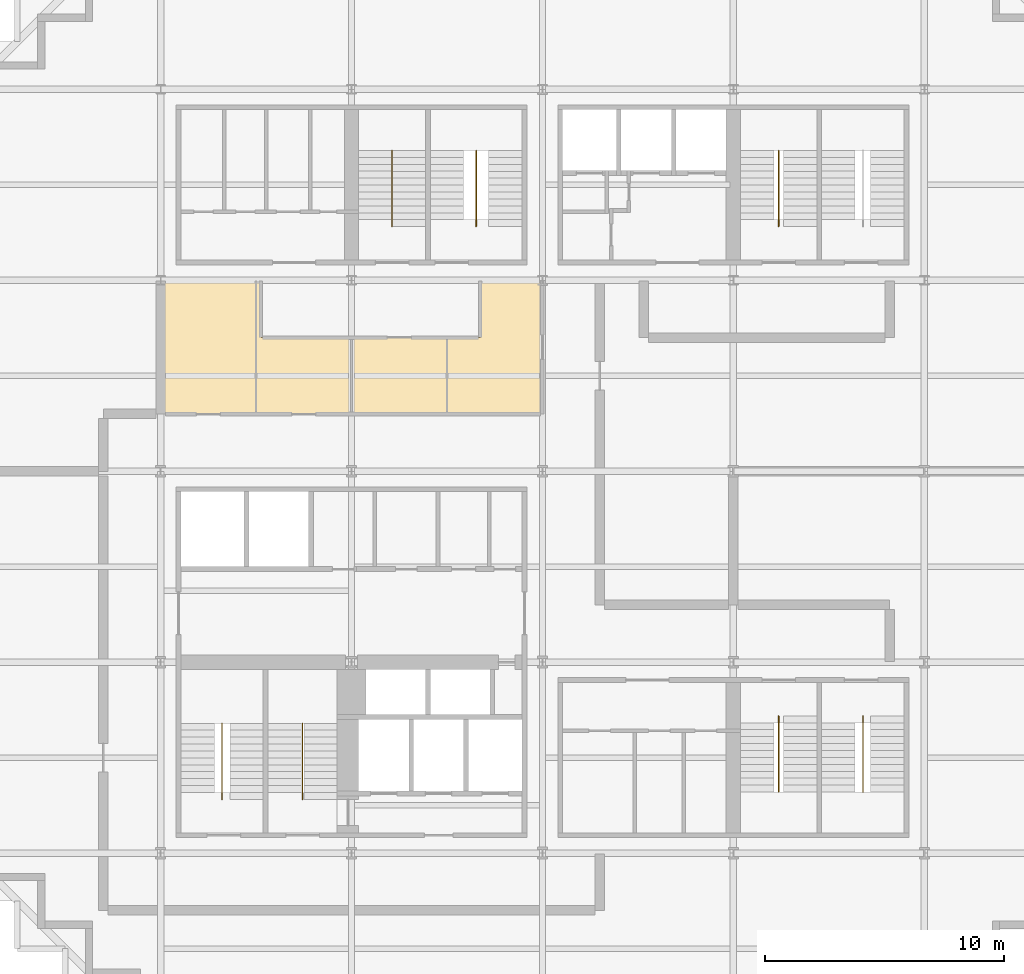
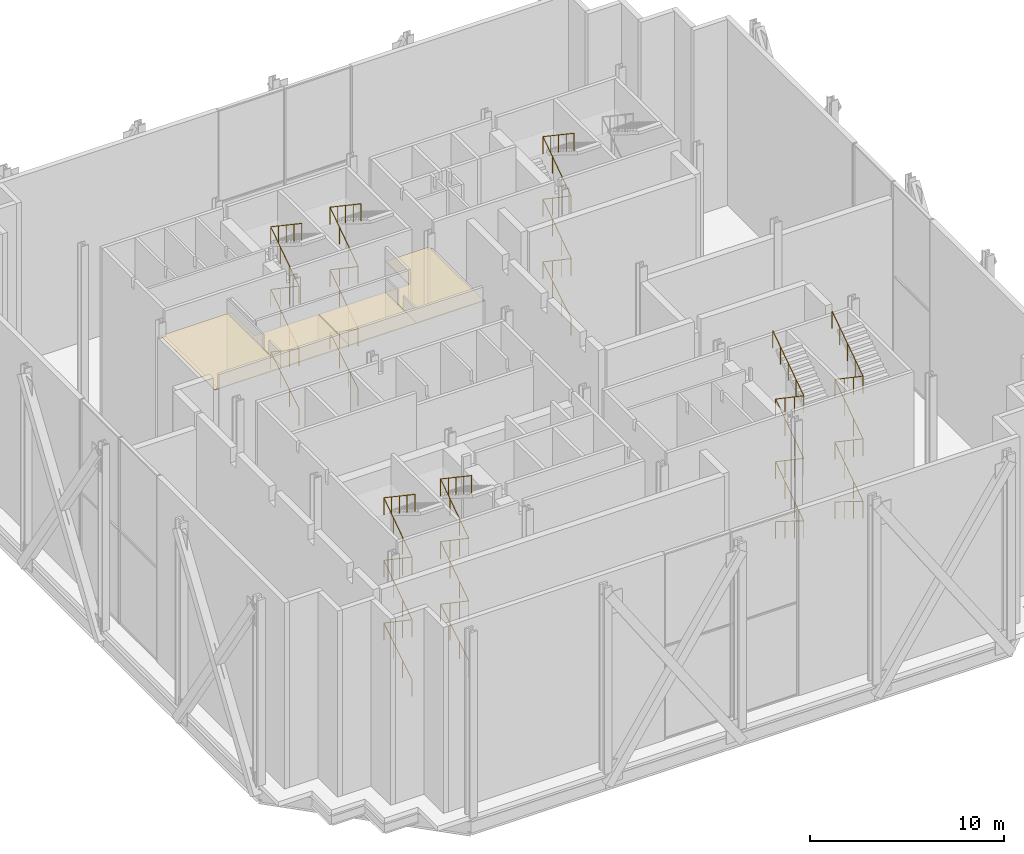
# One storey, part 13 of 14: 7 railings, 4 coverings.
"""IFC4 building model written with IfcOpenShell, lengths in metres."""

import ifcopenshell
import ifcopenshell.guid

model = None  # the IFC model being written
_history = None  # IfcOwnerHistory: only IFC2X3 demands one
_inside = {}  # id of a spatial element -> (the spatial element, [elements in it])
_under = {}  # id of a project, library or spatial element -> (it, [spatial elements below it])
_declared = {}  # id of a project -> (the project, [libraries it declares])
_typed = {}  # id of a type object -> (the type object, [elements of that type])
_made_of = {}  # id of a material, layer set ... -> (it, [elements and type objects made of it])


def new_model(schema):
    """Start an empty IFC model of exactly this schema.

    Asked for "IFC4X3", IfcOpenShell would pick the latest addendum, in which some entities
    have other attributes; the version numbers below select the first issue.
    IFC2X3 requires an IfcOwnerHistory on every rooted entity: one is made here for all.
    """
    global model, _history
    if schema == "IFC4X3":
        model = ifcopenshell.file(schema_version=(4, 3, 0, 0))
    else:
        model = ifcopenshell.file(schema=schema)
    _inside.clear()
    _under.clear()
    _declared.clear()
    _typed.clear()
    _made_of.clear()
    _history = None
    if model.schema == "IFC2X3":
        org = make("IfcOrganization", Name="unknown")
        user = make(
            "IfcPersonAndOrganization",
            ThePerson=make("IfcPerson", FamilyName="unknown"),
            TheOrganization=org,
        )
        app = make(
            "IfcApplication",
            ApplicationDeveloper=org,
            Version="unknown",
            ApplicationFullName="unknown",
            ApplicationIdentifier="unknown",
        )
        _history = make(
            "IfcOwnerHistory",
            OwningUser=user,
            OwningApplication=app,
            ChangeAction="ADDED",
            CreationDate=0,
        )
    return model


def make(cls, **values):
    """One entity of the class cls with the attributes given. An attribute that is None is left unset."""
    return model.create_entity(
        cls, **{name: value for name, value in values.items() if value is not None}
    )


def rooted(cls, **values):
    """An entity with a GlobalId (a new one), such as an element, a storey or a relation."""
    return make(cls, GlobalId=ifcopenshell.guid.new(), OwnerHistory=_history, **values)


def si_unit(unit_type, name, prefix=None):
    """IfcSIUnit, for example si_unit("LENGTHUNIT", "METRE", prefix="MILLI")."""
    return make("IfcSIUnit", UnitType=unit_type, Prefix=prefix, Name=name)


def assignment(units):
    """IfcUnitAssignment: the units of a project."""
    return None if units is None else make("IfcUnitAssignment", Units=units)


def point(xyz):
    """IfcCartesianPoint."""
    return None if xyz is None else make("IfcCartesianPoint", Coordinates=xyz)


def direction(xyz):
    """IfcDirection."""
    return None if xyz is None else make("IfcDirection", DirectionRatios=xyz)


def frame(location, z_axis=None, x_axis=None):
    """IfcAxis2Placement3D, a coordinate frame: its origin and axes. An axis left out is left unset."""
    return make(
        "IfcAxis2Placement3D",
        Location=point(location),
        Axis=direction(z_axis),
        RefDirection=direction(x_axis),
    )


def frame_2d(location, x_axis=None):
    """IfcAxis2Placement2D, a coordinate frame in the plane: its origin and x axis."""
    return make(
        "IfcAxis2Placement2D", Location=point(location), RefDirection=direction(x_axis)
    )


def origin():
    """The frame at (0, 0, 0) with its axes left unset."""
    return frame((0.0, 0.0, 0.0))


def origin_2d():
    """The frame at (0, 0) in the plane with its x axis left unset."""
    return frame_2d((0.0, 0.0))


def place(relative_to, where):
    """IfcLocalPlacement: puts the frame where relative to a parent placement (None: the world)."""
    return make(
        "IfcLocalPlacement", PlacementRelTo=relative_to, RelativePlacement=where
    )


def context(
    kind, dimensions, precision=None, world=None, true_north=None, identifier=None
):
    """IfcGeometricRepresentationContext, for example the 3D "Model" context."""
    return make(
        "IfcGeometricRepresentationContext",
        ContextIdentifier=identifier,
        ContextType=kind,
        CoordinateSpaceDimension=dimensions,
        Precision=precision,
        WorldCoordinateSystem=world,
        TrueNorth=true_north,
    )


def subcontext(parent, identifier, kind, view, scale=None):
    """IfcGeometricRepresentationSubContext, for example "Body" below "Model"."""
    return make(
        "IfcGeometricRepresentationSubContext",
        ContextIdentifier=identifier,
        ContextType=kind,
        ParentContext=parent,
        TargetScale=scale,
        TargetView=view,
    )


def project(units=None, contexts=None):
    """IfcProject with its units and contexts."""
    return rooted(
        "IfcProject",
        Name="project",
        RepresentationContexts=contexts,
        UnitsInContext=assignment(units),
    )


def spatial(cls, under=None, at=None, **own):
    """A site, building, storey or space (cls), placed at a placement, below another one or the project."""
    s = rooted(cls, ObjectPlacement=at, **own)
    if under is not None:
        _under.setdefault(under.id(), (under, []))[1].append(s)
    return s


def polyline(points):
    """IfcPolyline through the points."""
    return make("IfcPolyline", Points=[point(p) for p in points])


def profile(cls, at=None, kind="AREA", **sizes):
    """A parametric profile (cls). Its sizes go by their IFC names, for example OverallWidth=200.0."""
    return make(cls, ProfileType=kind, Position=at, **sizes)


def circle(**sizes):
    """IfcCircleProfileDef."""
    return profile("IfcCircleProfileDef", **sizes)


def outline(outer, holes=None, kind="AREA"):
    """IfcArbitraryClosedProfileDef: a profile drawn as a closed curve; with holes, ...WithVoids."""
    if holes is None:
        return make("IfcArbitraryClosedProfileDef", ProfileType=kind, OuterCurve=outer)
    return make(
        "IfcArbitraryProfileDefWithVoids",
        ProfileType=kind,
        OuterCurve=outer,
        InnerCurves=holes,
    )


def extrude(swept, where, along, depth):
    """IfcExtrudedAreaSolid: the profile swept, set in the frame where, extruded along a direction by depth."""
    return make(
        "IfcExtrudedAreaSolid",
        SweptArea=swept,
        Position=where,
        ExtrudedDirection=direction(along),
        Depth=depth,
    )


def shape(context_of_items, identifier, shape_type, items):
    """IfcShapeRepresentation: the items that make up one representation, for example the "Body"."""
    return make(
        "IfcShapeRepresentation",
        ContextOfItems=context_of_items,
        RepresentationIdentifier=identifier,
        RepresentationType=shape_type,
        Items=items,
    )


def material(Name=None, Category=None):
    """IfcMaterial."""
    return make("IfcMaterial", Name=Name, Category=Category)


def layer(
    of_material, thickness, ventilated=None, Name=None, Category=None, Priority=None
):
    """IfcMaterialLayer: one layer of a wall or slab, of a material (None: an air gap)."""
    return make(
        "IfcMaterialLayer",
        Material=of_material,
        LayerThickness=thickness,
        IsVentilated=ventilated,
        Name=Name,
        Category=Category,
        Priority=Priority,
    )


def layer_set(layers, Name=None):
    """IfcMaterialLayerSet."""
    return make("IfcMaterialLayerSet", MaterialLayers=layers, LayerSetName=Name)


def made_of(thing, what):
    """Note that an element or type object is made of a material, layer set ...; save() writes the relation."""
    if what is not None:
        _made_of.setdefault(what.id(), (what, []))[1].append(thing)
    return thing


def type_object(cls, material=None, **own):
    """A type object (cls), such as IfcWallType, which elements share."""
    return made_of(rooted(cls, **own), material)


def element(
    cls,
    number,
    at=None,
    inside=None,
    cuts=None,
    type_object=None,
    material=None,
    context=None,
    identifier="Body",
    shape_type=None,
    held_by="IfcProductDefinitionShape",
    body=None,
    shapes=None,
    **own,
):
    """One element of the class cls, such as IfcWall. Its Tag is "e" and its number.

    at: its placement. inside: the storey or other place that contains it. cuts: it is an
    opening in that element (IfcRelVoidsElement). A single representation is given by context,
    identifier, shape_type and body (its items); several are given by shapes. held_by: the class
    of the entity that holds the representations. save() writes the other relations.
    """
    e = rooted(cls, Tag="e%d" % number, ObjectPlacement=at, **own)
    if body is not None:
        shapes = [shape(context, identifier, shape_type, body)]
    if shapes is not None:
        e.Representation = make(held_by, Representations=shapes)
    if inside is not None:
        _inside.setdefault(inside.id(), (inside, []))[1].append(e)
    if cuts is not None:
        rooted(
            "IfcRelVoidsElement", RelatingBuildingElement=cuts, RelatedOpeningElement=e
        )
    if type_object is not None:
        _typed.setdefault(type_object.id(), (type_object, []))[1].append(e)
    return made_of(e, material)


def aggregate(whole, parts):
    """IfcRelAggregates: a whole, such as a stair, and the parts it consists of."""
    return rooted("IfcRelAggregates", RelatingObject=whole, RelatedObjects=parts)


def save(model, path):
    """Write the relations noted so far, then the file.

    IfcRelAggregates (storeys below a building ...), IfcRelContainedInSpatialStructure (elements
    in a storey), IfcRelDefinesByType, IfcRelAssociatesMaterial and IfcRelDeclares: one each for
    every whole, place, type object, material and project.
    """
    for whole, parts in _under.values():
        aggregate(whole, parts)
    for where, things in _inside.values():
        rooted(
            "IfcRelContainedInSpatialStructure",
            RelatedElements=things,
            RelatingStructure=where,
        )
    for kind, things in _typed.values():
        rooted("IfcRelDefinesByType", RelatedObjects=things, RelatingType=kind)
    for what, things in _made_of.values():
        rooted("IfcRelAssociatesMaterial", RelatedObjects=things, RelatingMaterial=what)
    for by, libraries in _declared.values():
        rooted("IfcRelDeclares", RelatingContext=by, RelatedDefinitions=libraries)
    model.write(path)


model = new_model("IFC4")

# Units and contexts
model_context = context("Model", 3, precision=1e-05, world=origin(), true_north=direction((0.0, 1.0)))
body_context = subcontext(model_context, "Body", "Model", "MODEL_VIEW")
ifc_project = project(units=[si_unit("LENGTHUNIT", "METRE"), si_unit("AREAUNIT", "SQUARE_METRE"), si_unit("VOLUMEUNIT", "CUBIC_METRE"), si_unit("PLANEANGLEUNIT", "RADIAN"), si_unit("MASSUNIT", "GRAM", prefix="KILO")], contexts=[model_context])

# Site, building, storey
site_placement = place(None, origin())
site = spatial("IfcSite", under=ifc_project, at=site_placement, CompositionType="ELEMENT")
building_placement = place(site_placement, origin())
building = spatial("IfcBuilding", under=site, at=building_placement, Name="Immortelle Media Tower", CompositionType="ELEMENT")
storey_placement = place(building_placement, frame((0.0, 0.0, 9.0)))
storey = spatial("IfcBuildingStorey", under=building, at=storey_placement, Name="L01", CompositionType="ELEMENT", Elevation=9.0)

# Railings
ifc_material_1 = material(Name="Stainless steel AISI 316", Category="steel")
railing_type = type_object("IfcRailingType", Name="Stair guard 1100", PredefinedType="GUARDRAIL", material=ifc_material_1)
railing_1_placement = place(storey_placement, frame((10.574951171875, 10.5400390625, 0.17919921875)))
element("IfcRailing", 1, at=railing_1_placement, inside=storey, type_object=railing_type, Name="Stair guard SW1", PredefinedType="GUARDRAIL", context=body_context, shape_type="SweptSolid", body=[
    extrude(circle(Radius=0.02392578125, at=origin_2d()), frame((0.0, 0.0, 1.076171875), z_axis=(0.0, 0.850811183675, 0.52547153085), x_axis=(-1.0, 0.0, 0.0)), (0.0, 0.0, 1.0), 3.408447265625),
    extrude(circle(Radius=0.02392578125, at=origin_2d()), frame((0.0, 2.89990234375, 2.8671875), z_axis=(0.0, -0.827186764308, 0.561927092204), x_axis=(1.0, 0.0, 0.0)), (0.0, 0.0, 1.0), 3.505859375),
    extrude(circle(Radius=0.02392578125, at=origin_2d()), frame((0.0, 0.0, 4.8369140625), z_axis=(0.0, 0.82715439412, 0.561974739902), x_axis=(-1.0, 0.0, 0.0)), (0.0, 0.0, 1.0), 3.505859375),
    extrude(circle(Radius=0.02392578125, at=origin_2d()), frame((0.0, 2.89990234375, 6.80712890625), z_axis=(0.0, -0.82715439412, 0.561974739902), x_axis=(1.0, 0.0, 0.0)), (0.0, 0.0, 1.0), 3.505859375),
    extrude(circle(Radius=0.02392578125, at=origin_2d()), frame((0.0, 0.0, 8.77734375), z_axis=(0.0, 0.82715439412, 0.561974739902), x_axis=(-1.0, 0.0, 0.0)), (0.0, 0.0, 1.0), 3.505859375),
    extrude(circle(Radius=0.02392578125, at=origin_2d()), frame((0.0, 2.89990234375, 10.74755859375), z_axis=(0.0, -0.829335484276, 0.558750977199), x_axis=(1.0, 0.0, 0.0)), (0.0, 0.0, 1.0), 3.846435546875),
    extrude(circle(Radius=0.02099609375, at=origin_2d()), origin(), (0.0, 0.0, 1.0), 1.052001953125),
    extrude(circle(Radius=0.02099609375, at=origin_2d()), frame((0.0, 0.966552734375, 0.596923828125)), (0.0, 0.0, 1.0), 1.052001953125),
    extrude(circle(Radius=0.02099609375, at=origin_2d()), frame((0.0, 1.933349609375, 1.194091796875)), (0.0, 0.0, 1.0), 1.052001953125),
    extrude(circle(Radius=0.02099609375, at=origin_2d()), frame((0.0, 2.89990234375, 1.791015625)), (0.0, 0.0, 1.0), 1.052001953125),
    extrude(circle(Radius=0.02099609375, at=origin_2d()), frame((0.0, 1.933349609375, 2.44775390625)), (0.0, 0.0, 1.0), 1.052001953125),
    extrude(circle(Radius=0.02099609375, at=origin_2d()), frame((0.0, 0.966552734375, 3.104248046875)), (0.0, 0.0, 1.0), 1.052001953125),
    extrude(circle(Radius=0.02099609375, at=origin_2d()), frame((0.0, 0.0, 3.760986328125)), (0.0, 0.0, 1.0), 1.052001953125),
    extrude(circle(Radius=0.02099609375, at=origin_2d()), frame((0.0, 0.966552734375, 4.417724609375)), (0.0, 0.0, 1.0), 1.052001953125),
    extrude(circle(Radius=0.02099609375, at=origin_2d()), frame((0.0, 1.933349609375, 5.074462890625)), (0.0, 0.0, 1.0), 1.052001953125),
    extrude(circle(Radius=0.02099609375, at=origin_2d()), frame((0.0, 2.89990234375, 5.731201171875)), (0.0, 0.0, 1.0), 1.052001953125),
    extrude(circle(Radius=0.02099609375, at=origin_2d()), frame((0.0, 1.933349609375, 6.387939453125)), (0.0, 0.0, 1.0), 1.052001953125),
    extrude(circle(Radius=0.02099609375, at=origin_2d()), frame((0.0, 0.966552734375, 7.044677734375)), (0.0, 0.0, 1.0), 1.052001953125),
    extrude(circle(Radius=0.02099609375, at=origin_2d()), frame((0.0, 0.0, 7.701416015625)), (0.0, 0.0, 1.0), 1.052001953125),
    extrude(circle(Radius=0.02099609375, at=origin_2d()), frame((0.0, 0.966552734375, 8.358154296875)), (0.0, 0.0, 1.0), 1.052001953125),
    extrude(circle(Radius=0.02099609375, at=origin_2d()), frame((0.0, 1.933349609375, 9.014892578125)), (0.0, 0.0, 1.0), 1.052001953125),
    extrude(circle(Radius=0.02099609375, at=origin_2d()), frame((0.0, 2.89990234375, 9.671630859375)), (0.0, 0.0, 1.0), 1.052001953125),
    extrude(circle(Radius=0.02099609375, at=origin_2d()), frame((0.0, 2.1025390625, 10.208984375)), (0.0, 0.0, 1.0), 1.052001953125),
    extrude(circle(Radius=0.02099609375, at=origin_2d()), frame((0.0, 1.304931640625, 10.74609375)), (0.0, 0.0, 1.0), 1.052001953125),
    extrude(circle(Radius=0.02099609375, at=origin_2d()), frame((0.0, 0.50732421875, 11.283447265625)), (0.0, 0.0, 1.0), 1.052001953125),
    extrude(circle(Radius=0.02099609375, at=origin_2d()), frame((0.0, -0.2900390625, 11.82080078125)), (0.0, 0.0, 1.0), 1.052001953125),
])
railing_2_placement = place(storey_placement, frame((13.949951171875, 10.5400390625, 0.17919921875)))
element("IfcRailing", 2, at=railing_2_placement, inside=storey, type_object=railing_type, Name="Stair guard SW2", PredefinedType="GUARDRAIL", context=body_context, shape_type="SweptSolid", body=[
    extrude(circle(Radius=0.02392578125, at=origin_2d()), frame((0.0, 0.0, 1.076171875), z_axis=(0.0, 0.850811183675, 0.52547153085), x_axis=(-1.0, 0.0, 0.0)), (0.0, 0.0, 1.0), 3.408447265625),
    extrude(circle(Radius=0.02392578125, at=origin_2d()), frame((0.0, 2.89990234375, 2.8671875), z_axis=(0.0, -0.827186764308, 0.561927092204), x_axis=(1.0, 0.0, 0.0)), (0.0, 0.0, 1.0), 3.505859375),
    extrude(circle(Radius=0.02392578125, at=origin_2d()), frame((0.0, 0.0, 4.8369140625), z_axis=(0.0, 0.82715439412, 0.561974739902), x_axis=(-1.0, 0.0, 0.0)), (0.0, 0.0, 1.0), 3.505859375),
    extrude(circle(Radius=0.02392578125, at=origin_2d()), frame((0.0, 2.89990234375, 6.80712890625), z_axis=(0.0, -0.82715439412, 0.561974739902), x_axis=(1.0, 0.0, 0.0)), (0.0, 0.0, 1.0), 3.505859375),
    extrude(circle(Radius=0.02392578125, at=origin_2d()), frame((0.0, 0.0, 8.77734375), z_axis=(0.0, 0.82715439412, 0.561974739902), x_axis=(-1.0, 0.0, 0.0)), (0.0, 0.0, 1.0), 3.505859375),
    extrude(circle(Radius=0.02392578125, at=origin_2d()), frame((0.0, 2.89990234375, 10.74755859375), z_axis=(0.0, -0.829335484276, 0.558750977199), x_axis=(1.0, 0.0, 0.0)), (0.0, 0.0, 1.0), 3.846435546875),
    extrude(circle(Radius=0.02099609375, at=origin_2d()), origin(), (0.0, 0.0, 1.0), 1.052001953125),
    extrude(circle(Radius=0.02099609375, at=origin_2d()), frame((0.0, 0.966552734375, 0.596923828125)), (0.0, 0.0, 1.0), 1.052001953125),
    extrude(circle(Radius=0.02099609375, at=origin_2d()), frame((0.0, 1.933349609375, 1.194091796875)), (0.0, 0.0, 1.0), 1.052001953125),
    extrude(circle(Radius=0.02099609375, at=origin_2d()), frame((0.0, 2.89990234375, 1.791015625)), (0.0, 0.0, 1.0), 1.052001953125),
    extrude(circle(Radius=0.02099609375, at=origin_2d()), frame((0.0, 1.933349609375, 2.44775390625)), (0.0, 0.0, 1.0), 1.052001953125),
    extrude(circle(Radius=0.02099609375, at=origin_2d()), frame((0.0, 0.966552734375, 3.104248046875)), (0.0, 0.0, 1.0), 1.052001953125),
    extrude(circle(Radius=0.02099609375, at=origin_2d()), frame((0.0, 0.0, 3.760986328125)), (0.0, 0.0, 1.0), 1.052001953125),
    extrude(circle(Radius=0.02099609375, at=origin_2d()), frame((0.0, 0.966552734375, 4.417724609375)), (0.0, 0.0, 1.0), 1.052001953125),
    extrude(circle(Radius=0.02099609375, at=origin_2d()), frame((0.0, 1.933349609375, 5.074462890625)), (0.0, 0.0, 1.0), 1.052001953125),
    extrude(circle(Radius=0.02099609375, at=origin_2d()), frame((0.0, 2.89990234375, 5.731201171875)), (0.0, 0.0, 1.0), 1.052001953125),
    extrude(circle(Radius=0.02099609375, at=origin_2d()), frame((0.0, 1.933349609375, 6.387939453125)), (0.0, 0.0, 1.0), 1.052001953125),
    extrude(circle(Radius=0.02099609375, at=origin_2d()), frame((0.0, 0.966552734375, 7.044677734375)), (0.0, 0.0, 1.0), 1.052001953125),
    extrude(circle(Radius=0.02099609375, at=origin_2d()), frame((0.0, 0.0, 7.701416015625)), (0.0, 0.0, 1.0), 1.052001953125),
    extrude(circle(Radius=0.02099609375, at=origin_2d()), frame((0.0, 0.966552734375, 8.358154296875)), (0.0, 0.0, 1.0), 1.052001953125),
    extrude(circle(Radius=0.02099609375, at=origin_2d()), frame((0.0, 1.933349609375, 9.014892578125)), (0.0, 0.0, 1.0), 1.052001953125),
    extrude(circle(Radius=0.02099609375, at=origin_2d()), frame((0.0, 2.89990234375, 9.671630859375)), (0.0, 0.0, 1.0), 1.052001953125),
    extrude(circle(Radius=0.02099609375, at=origin_2d()), frame((0.0, 2.1025390625, 10.208984375)), (0.0, 0.0, 1.0), 1.052001953125),
    extrude(circle(Radius=0.02099609375, at=origin_2d()), frame((0.0, 1.304931640625, 10.74609375)), (0.0, 0.0, 1.0), 1.052001953125),
    extrude(circle(Radius=0.02099609375, at=origin_2d()), frame((0.0, 0.50732421875, 11.283447265625)), (0.0, 0.0, 1.0), 1.052001953125),
    extrude(circle(Radius=0.02099609375, at=origin_2d()), frame((0.0, -0.2900390625, 11.82080078125)), (0.0, 0.0, 1.0), 1.052001953125),
])
railing_3_placement = place(storey_placement, frame((33.89990234375, 13.4599609375, 0.17919921875)))
element("IfcRailing", 3, at=railing_3_placement, inside=storey, type_object=railing_type, Name="Stair guard SE1", PredefinedType="GUARDRAIL", context=body_context, shape_type="SweptSolid", body=[
    extrude(circle(Radius=0.02392578125, at=origin_2d()), frame((0.0, 0.0, 1.076171875), z_axis=(0.0, -0.850811183675, 0.52547153085), x_axis=(1.0, 0.0, 0.0)), (0.0, 0.0, 1.0), 3.408447265625),
    extrude(circle(Radius=0.02392578125, at=origin_2d()), frame((0.0, -2.89990234375, 2.8671875), z_axis=(0.0, 0.827186764308, 0.561927092204), x_axis=(-1.0, 0.0, 0.0)), (0.0, 0.0, 1.0), 3.505859375),
    extrude(circle(Radius=0.02392578125, at=origin_2d()), frame((0.0, 0.0, 4.8369140625), z_axis=(0.0, -0.82715439412, 0.561974739902), x_axis=(1.0, 0.0, 0.0)), (0.0, 0.0, 1.0), 3.505859375),
    extrude(circle(Radius=0.02392578125, at=origin_2d()), frame((0.0, -2.89990234375, 6.80712890625), z_axis=(0.0, 0.82715439412, 0.561974739902), x_axis=(-1.0, 0.0, 0.0)), (0.0, 0.0, 1.0), 3.505859375),
    extrude(circle(Radius=0.02392578125, at=origin_2d()), frame((0.0, 0.0, 8.77734375), z_axis=(0.0, -0.82715439412, 0.561974739902), x_axis=(1.0, 0.0, 0.0)), (0.0, 0.0, 1.0), 3.505859375),
    extrude(circle(Radius=0.02392578125, at=origin_2d()), frame((0.0, -2.89990234375, 10.74755859375), z_axis=(0.0, 0.829335484276, 0.558750977199), x_axis=(-1.0, 0.0, 0.0)), (0.0, 0.0, 1.0), 3.846435546875),
    extrude(circle(Radius=0.02099609375, at=origin_2d()), origin(), (0.0, 0.0, 1.0), 1.052001953125),
    extrude(circle(Radius=0.02099609375, at=origin_2d()), frame((0.0, -0.966552734375, 0.596923828125)), (0.0, 0.0, 1.0), 1.052001953125),
    extrude(circle(Radius=0.02099609375, at=origin_2d()), frame((0.0, -1.933349609375, 1.194091796875)), (0.0, 0.0, 1.0), 1.052001953125),
    extrude(circle(Radius=0.02099609375, at=origin_2d()), frame((0.0, -2.89990234375, 1.791015625)), (0.0, 0.0, 1.0), 1.052001953125),
    extrude(circle(Radius=0.02099609375, at=origin_2d()), frame((0.0, -1.933349609375, 2.44775390625)), (0.0, 0.0, 1.0), 1.052001953125),
    extrude(circle(Radius=0.02099609375, at=origin_2d()), frame((0.0, -0.966552734375, 3.104248046875)), (0.0, 0.0, 1.0), 1.052001953125),
    extrude(circle(Radius=0.02099609375, at=origin_2d()), frame((0.0, 0.0, 3.760986328125)), (0.0, 0.0, 1.0), 1.052001953125),
    extrude(circle(Radius=0.02099609375, at=origin_2d()), frame((0.0, -0.966552734375, 4.417724609375)), (0.0, 0.0, 1.0), 1.052001953125),
    extrude(circle(Radius=0.02099609375, at=origin_2d()), frame((0.0, -1.933349609375, 5.074462890625)), (0.0, 0.0, 1.0), 1.052001953125),
    extrude(circle(Radius=0.02099609375, at=origin_2d()), frame((0.0, -2.89990234375, 5.731201171875)), (0.0, 0.0, 1.0), 1.052001953125),
    extrude(circle(Radius=0.02099609375, at=origin_2d()), frame((0.0, -1.933349609375, 6.387939453125)), (0.0, 0.0, 1.0), 1.052001953125),
    extrude(circle(Radius=0.02099609375, at=origin_2d()), frame((0.0, -0.966552734375, 7.044677734375)), (0.0, 0.0, 1.0), 1.052001953125),
    extrude(circle(Radius=0.02099609375, at=origin_2d()), frame((0.0, 0.0, 7.701416015625)), (0.0, 0.0, 1.0), 1.052001953125),
    extrude(circle(Radius=0.02099609375, at=origin_2d()), frame((0.0, -0.966552734375, 8.358154296875)), (0.0, 0.0, 1.0), 1.052001953125),
    extrude(circle(Radius=0.02099609375, at=origin_2d()), frame((0.0, -1.933349609375, 9.014892578125)), (0.0, 0.0, 1.0), 1.052001953125),
    extrude(circle(Radius=0.02099609375, at=origin_2d()), frame((0.0, -2.89990234375, 9.671630859375)), (0.0, 0.0, 1.0), 1.052001953125),
    extrude(circle(Radius=0.02099609375, at=origin_2d()), frame((0.0, -2.1025390625, 10.208984375)), (0.0, 0.0, 1.0), 1.052001953125),
    extrude(circle(Radius=0.02099609375, at=origin_2d()), frame((0.0, -1.304931640625, 10.74609375)), (0.0, 0.0, 1.0), 1.052001953125),
    extrude(circle(Radius=0.02099609375, at=origin_2d()), frame((0.0, -0.50732421875, 11.283447265625)), (0.0, 0.0, 1.0), 1.052001953125),
    extrude(circle(Radius=0.02099609375, at=origin_2d()), frame((0.0, 0.2900390625, 11.82080078125)), (0.0, 0.0, 1.0), 1.052001953125),
])
railing_4_placement = place(storey_placement, frame((37.425048828125, 13.4599609375, 0.17919921875)))
element("IfcRailing", 4, at=railing_4_placement, inside=storey, type_object=railing_type, Name="Stair guard SE2", PredefinedType="GUARDRAIL", context=body_context, shape_type="SweptSolid", body=[
    extrude(circle(Radius=0.02392578125, at=origin_2d()), frame((0.0, 0.0, 1.076171875), z_axis=(0.0, -0.850811183675, 0.52547153085), x_axis=(1.0, 0.0, 0.0)), (0.0, 0.0, 1.0), 3.408447265625),
    extrude(circle(Radius=0.02392578125, at=origin_2d()), frame((0.0, -2.89990234375, 2.8671875), z_axis=(0.0, 0.827186764308, 0.561927092204), x_axis=(-1.0, 0.0, 0.0)), (0.0, 0.0, 1.0), 3.505859375),
    extrude(circle(Radius=0.02392578125, at=origin_2d()), frame((0.0, 0.0, 4.8369140625), z_axis=(0.0, -0.82715439412, 0.561974739902), x_axis=(1.0, 0.0, 0.0)), (0.0, 0.0, 1.0), 3.505859375),
    extrude(circle(Radius=0.02392578125, at=origin_2d()), frame((0.0, -2.89990234375, 6.80712890625), z_axis=(0.0, 0.82715439412, 0.561974739902), x_axis=(-1.0, 0.0, 0.0)), (0.0, 0.0, 1.0), 3.505859375),
    extrude(circle(Radius=0.02392578125, at=origin_2d()), frame((0.0, 0.0, 8.77734375), z_axis=(0.0, -0.82715439412, 0.561974739902), x_axis=(1.0, 0.0, 0.0)), (0.0, 0.0, 1.0), 3.505859375),
    extrude(circle(Radius=0.02392578125, at=origin_2d()), frame((0.0, -2.89990234375, 10.74755859375), z_axis=(0.0, 0.829335484276, 0.558750977199), x_axis=(-1.0, 0.0, 0.0)), (0.0, 0.0, 1.0), 3.846435546875),
    extrude(circle(Radius=0.02099609375, at=origin_2d()), origin(), (0.0, 0.0, 1.0), 1.052001953125),
    extrude(circle(Radius=0.02099609375, at=origin_2d()), frame((0.0, -0.966552734375, 0.596923828125)), (0.0, 0.0, 1.0), 1.052001953125),
    extrude(circle(Radius=0.02099609375, at=origin_2d()), frame((0.0, -1.933349609375, 1.194091796875)), (0.0, 0.0, 1.0), 1.052001953125),
    extrude(circle(Radius=0.02099609375, at=origin_2d()), frame((0.0, -2.89990234375, 1.791015625)), (0.0, 0.0, 1.0), 1.052001953125),
    extrude(circle(Radius=0.02099609375, at=origin_2d()), frame((0.0, -1.933349609375, 2.44775390625)), (0.0, 0.0, 1.0), 1.052001953125),
    extrude(circle(Radius=0.02099609375, at=origin_2d()), frame((0.0, -0.966552734375, 3.104248046875)), (0.0, 0.0, 1.0), 1.052001953125),
    extrude(circle(Radius=0.02099609375, at=origin_2d()), frame((0.0, 0.0, 3.760986328125)), (0.0, 0.0, 1.0), 1.052001953125),
    extrude(circle(Radius=0.02099609375, at=origin_2d()), frame((0.0, -0.966552734375, 4.417724609375)), (0.0, 0.0, 1.0), 1.052001953125),
    extrude(circle(Radius=0.02099609375, at=origin_2d()), frame((0.0, -1.933349609375, 5.074462890625)), (0.0, 0.0, 1.0), 1.052001953125),
    extrude(circle(Radius=0.02099609375, at=origin_2d()), frame((0.0, -2.89990234375, 5.731201171875)), (0.0, 0.0, 1.0), 1.052001953125),
    extrude(circle(Radius=0.02099609375, at=origin_2d()), frame((0.0, -1.933349609375, 6.387939453125)), (0.0, 0.0, 1.0), 1.052001953125),
    extrude(circle(Radius=0.02099609375, at=origin_2d()), frame((0.0, -0.966552734375, 7.044677734375)), (0.0, 0.0, 1.0), 1.052001953125),
    extrude(circle(Radius=0.02099609375, at=origin_2d()), frame((0.0, 0.0, 7.701416015625)), (0.0, 0.0, 1.0), 1.052001953125),
    extrude(circle(Radius=0.02099609375, at=origin_2d()), frame((0.0, -0.966552734375, 8.358154296875)), (0.0, 0.0, 1.0), 1.052001953125),
    extrude(circle(Radius=0.02099609375, at=origin_2d()), frame((0.0, -1.933349609375, 9.014892578125)), (0.0, 0.0, 1.0), 1.052001953125),
    extrude(circle(Radius=0.02099609375, at=origin_2d()), frame((0.0, -2.89990234375, 9.671630859375)), (0.0, 0.0, 1.0), 1.052001953125),
    extrude(circle(Radius=0.02099609375, at=origin_2d()), frame((0.0, -2.1025390625, 10.208984375)), (0.0, 0.0, 1.0), 1.052001953125),
    extrude(circle(Radius=0.02099609375, at=origin_2d()), frame((0.0, -1.304931640625, 10.74609375)), (0.0, 0.0, 1.0), 1.052001953125),
    extrude(circle(Radius=0.02099609375, at=origin_2d()), frame((0.0, -0.50732421875, 11.283447265625)), (0.0, 0.0, 1.0), 1.052001953125),
    extrude(circle(Radius=0.02099609375, at=origin_2d()), frame((0.0, 0.2900390625, 11.82080078125)), (0.0, 0.0, 1.0), 1.052001953125),
])
railing_5_placement = place(storey_placement, frame((17.699951171875, 34.5400390625, 0.17919921875)))
element("IfcRailing", 5, at=railing_5_placement, inside=storey, type_object=railing_type, Name="Stair guard NW1", PredefinedType="GUARDRAIL", context=body_context, shape_type="SweptSolid", body=[
    extrude(circle(Radius=0.02392578125, at=origin_2d()), frame((0.0, 0.0, 1.076171875), z_axis=(0.0, 0.850811183675, 0.52547153085), x_axis=(-1.0, 0.0, 0.0)), (0.0, 0.0, 1.0), 3.408447265625),
    extrude(circle(Radius=0.02392578125, at=origin_2d()), frame((0.0, 2.89990234375, 2.8671875), z_axis=(0.0, -0.827186764308, 0.561927092204), x_axis=(1.0, 0.0, 0.0)), (0.0, 0.0, 1.0), 3.505859375),
    extrude(circle(Radius=0.02392578125, at=origin_2d()), frame((0.0, 0.0, 4.8369140625), z_axis=(0.0, 0.82715439412, 0.561974739902), x_axis=(-1.0, 0.0, 0.0)), (0.0, 0.0, 1.0), 3.505859375),
    extrude(circle(Radius=0.02392578125, at=origin_2d()), frame((0.0, 2.89990234375, 6.80712890625), z_axis=(0.0, -0.82715439412, 0.561974739902), x_axis=(1.0, 0.0, 0.0)), (0.0, 0.0, 1.0), 3.505859375),
    extrude(circle(Radius=0.02392578125, at=origin_2d()), frame((0.0, 0.0, 8.77734375), z_axis=(0.0, 0.82715439412, 0.561974739902), x_axis=(-1.0, 0.0, 0.0)), (0.0, 0.0, 1.0), 3.505859375),
    extrude(circle(Radius=0.02392578125, at=origin_2d()), frame((0.0, 2.89990234375, 10.74755859375), z_axis=(0.0, -0.829335484276, 0.558750977199), x_axis=(1.0, 0.0, 0.0)), (0.0, 0.0, 1.0), 3.846435546875),
    extrude(circle(Radius=0.02099609375, at=origin_2d()), origin(), (0.0, 0.0, 1.0), 1.052001953125),
    extrude(circle(Radius=0.02099609375, at=origin_2d()), frame((0.0, 0.966552734375, 0.596923828125)), (0.0, 0.0, 1.0), 1.052001953125),
    extrude(circle(Radius=0.02099609375, at=origin_2d()), frame((0.0, 1.933349609375, 1.194091796875)), (0.0, 0.0, 1.0), 1.052001953125),
    extrude(circle(Radius=0.02099609375, at=origin_2d()), frame((0.0, 2.89990234375, 1.791015625)), (0.0, 0.0, 1.0), 1.052001953125),
    extrude(circle(Radius=0.02099609375, at=origin_2d()), frame((0.0, 1.933349609375, 2.44775390625)), (0.0, 0.0, 1.0), 1.052001953125),
    extrude(circle(Radius=0.02099609375, at=origin_2d()), frame((0.0, 0.966552734375, 3.104248046875)), (0.0, 0.0, 1.0), 1.052001953125),
    extrude(circle(Radius=0.02099609375, at=origin_2d()), frame((0.0, 0.0, 3.760986328125)), (0.0, 0.0, 1.0), 1.052001953125),
    extrude(circle(Radius=0.02099609375, at=origin_2d()), frame((0.0, 0.966552734375, 4.417724609375)), (0.0, 0.0, 1.0), 1.052001953125),
    extrude(circle(Radius=0.02099609375, at=origin_2d()), frame((0.0, 1.933349609375, 5.074462890625)), (0.0, 0.0, 1.0), 1.052001953125),
    extrude(circle(Radius=0.02099609375, at=origin_2d()), frame((0.0, 2.89990234375, 5.731201171875)), (0.0, 0.0, 1.0), 1.052001953125),
    extrude(circle(Radius=0.02099609375, at=origin_2d()), frame((0.0, 1.933349609375, 6.387939453125)), (0.0, 0.0, 1.0), 1.052001953125),
    extrude(circle(Radius=0.02099609375, at=origin_2d()), frame((0.0, 0.966552734375, 7.044677734375)), (0.0, 0.0, 1.0), 1.052001953125),
    extrude(circle(Radius=0.02099609375, at=origin_2d()), frame((0.0, 0.0, 7.701416015625)), (0.0, 0.0, 1.0), 1.052001953125),
    extrude(circle(Radius=0.02099609375, at=origin_2d()), frame((0.0, 0.966552734375, 8.358154296875)), (0.0, 0.0, 1.0), 1.052001953125),
    extrude(circle(Radius=0.02099609375, at=origin_2d()), frame((0.0, 1.933349609375, 9.014892578125)), (0.0, 0.0, 1.0), 1.052001953125),
    extrude(circle(Radius=0.02099609375, at=origin_2d()), frame((0.0, 2.89990234375, 9.671630859375)), (0.0, 0.0, 1.0), 1.052001953125),
    extrude(circle(Radius=0.02099609375, at=origin_2d()), frame((0.0, 2.1025390625, 10.208984375)), (0.0, 0.0, 1.0), 1.052001953125),
    extrude(circle(Radius=0.02099609375, at=origin_2d()), frame((0.0, 1.304931640625, 10.74609375)), (0.0, 0.0, 1.0), 1.052001953125),
    extrude(circle(Radius=0.02099609375, at=origin_2d()), frame((0.0, 0.50732421875, 11.283447265625)), (0.0, 0.0, 1.0), 1.052001953125),
    extrude(circle(Radius=0.02099609375, at=origin_2d()), frame((0.0, -0.2900390625, 11.82080078125)), (0.0, 0.0, 1.0), 1.052001953125),
])
railing_6_placement = place(storey_placement, frame((21.22509765625, 34.5400390625, 0.17919921875)))
element("IfcRailing", 6, at=railing_6_placement, inside=storey, type_object=railing_type, Name="Stair guard NW2", PredefinedType="GUARDRAIL", context=body_context, shape_type="SweptSolid", body=[
    extrude(circle(Radius=0.02392578125, at=origin_2d()), frame((0.0, 0.0, 1.076171875), z_axis=(0.0, 0.850811183675, 0.52547153085), x_axis=(-1.0, 0.0, 0.0)), (0.0, 0.0, 1.0), 3.408447265625),
    extrude(circle(Radius=0.02392578125, at=origin_2d()), frame((0.0, 2.89990234375, 2.8671875), z_axis=(0.0, -0.827186764308, 0.561927092204), x_axis=(1.0, 0.0, 0.0)), (0.0, 0.0, 1.0), 3.505859375),
    extrude(circle(Radius=0.02392578125, at=origin_2d()), frame((0.0, 0.0, 4.8369140625), z_axis=(0.0, 0.82715439412, 0.561974739902), x_axis=(-1.0, 0.0, 0.0)), (0.0, 0.0, 1.0), 3.505859375),
    extrude(circle(Radius=0.02392578125, at=origin_2d()), frame((0.0, 2.89990234375, 6.80712890625), z_axis=(0.0, -0.82715439412, 0.561974739902), x_axis=(1.0, 0.0, 0.0)), (0.0, 0.0, 1.0), 3.505859375),
    extrude(circle(Radius=0.02392578125, at=origin_2d()), frame((0.0, 0.0, 8.77734375), z_axis=(0.0, 0.82715439412, 0.561974739902), x_axis=(-1.0, 0.0, 0.0)), (0.0, 0.0, 1.0), 3.505859375),
    extrude(circle(Radius=0.02392578125, at=origin_2d()), frame((0.0, 2.89990234375, 10.74755859375), z_axis=(0.0, -0.829335484276, 0.558750977199), x_axis=(1.0, 0.0, 0.0)), (0.0, 0.0, 1.0), 3.846435546875),
    extrude(circle(Radius=0.02099609375, at=origin_2d()), origin(), (0.0, 0.0, 1.0), 1.052001953125),
    extrude(circle(Radius=0.02099609375, at=origin_2d()), frame((0.0, 0.966552734375, 0.596923828125)), (0.0, 0.0, 1.0), 1.052001953125),
    extrude(circle(Radius=0.02099609375, at=origin_2d()), frame((0.0, 1.933349609375, 1.194091796875)), (0.0, 0.0, 1.0), 1.052001953125),
    extrude(circle(Radius=0.02099609375, at=origin_2d()), frame((0.0, 2.89990234375, 1.791015625)), (0.0, 0.0, 1.0), 1.052001953125),
    extrude(circle(Radius=0.02099609375, at=origin_2d()), frame((0.0, 1.933349609375, 2.44775390625)), (0.0, 0.0, 1.0), 1.052001953125),
    extrude(circle(Radius=0.02099609375, at=origin_2d()), frame((0.0, 0.966552734375, 3.104248046875)), (0.0, 0.0, 1.0), 1.052001953125),
    extrude(circle(Radius=0.02099609375, at=origin_2d()), frame((0.0, 0.0, 3.760986328125)), (0.0, 0.0, 1.0), 1.052001953125),
    extrude(circle(Radius=0.02099609375, at=origin_2d()), frame((0.0, 0.966552734375, 4.417724609375)), (0.0, 0.0, 1.0), 1.052001953125),
    extrude(circle(Radius=0.02099609375, at=origin_2d()), frame((0.0, 1.933349609375, 5.074462890625)), (0.0, 0.0, 1.0), 1.052001953125),
    extrude(circle(Radius=0.02099609375, at=origin_2d()), frame((0.0, 2.89990234375, 5.731201171875)), (0.0, 0.0, 1.0), 1.052001953125),
    extrude(circle(Radius=0.02099609375, at=origin_2d()), frame((0.0, 1.933349609375, 6.387939453125)), (0.0, 0.0, 1.0), 1.052001953125),
    extrude(circle(Radius=0.02099609375, at=origin_2d()), frame((0.0, 0.966552734375, 7.044677734375)), (0.0, 0.0, 1.0), 1.052001953125),
    extrude(circle(Radius=0.02099609375, at=origin_2d()), frame((0.0, 0.0, 7.701416015625)), (0.0, 0.0, 1.0), 1.052001953125),
    extrude(circle(Radius=0.02099609375, at=origin_2d()), frame((0.0, 0.966552734375, 8.358154296875)), (0.0, 0.0, 1.0), 1.052001953125),
    extrude(circle(Radius=0.02099609375, at=origin_2d()), frame((0.0, 1.933349609375, 9.014892578125)), (0.0, 0.0, 1.0), 1.052001953125),
    extrude(circle(Radius=0.02099609375, at=origin_2d()), frame((0.0, 2.89990234375, 9.671630859375)), (0.0, 0.0, 1.0), 1.052001953125),
    extrude(circle(Radius=0.02099609375, at=origin_2d()), frame((0.0, 2.1025390625, 10.208984375)), (0.0, 0.0, 1.0), 1.052001953125),
    extrude(circle(Radius=0.02099609375, at=origin_2d()), frame((0.0, 1.304931640625, 10.74609375)), (0.0, 0.0, 1.0), 1.052001953125),
    extrude(circle(Radius=0.02099609375, at=origin_2d()), frame((0.0, 0.50732421875, 11.283447265625)), (0.0, 0.0, 1.0), 1.052001953125),
    extrude(circle(Radius=0.02099609375, at=origin_2d()), frame((0.0, -0.2900390625, 11.82080078125)), (0.0, 0.0, 1.0), 1.052001953125),
])
railing_7_placement = place(storey_placement, frame((33.89990234375, 34.5400390625, 0.17919921875)))
element("IfcRailing", 7, at=railing_7_placement, inside=storey, type_object=railing_type, Name="Stair guard NE1", PredefinedType="GUARDRAIL", context=body_context, shape_type="SweptSolid", body=[
    extrude(circle(Radius=0.02392578125, at=origin_2d()), frame((0.0, 0.0, 1.076171875), z_axis=(0.0, 0.850811183675, 0.52547153085), x_axis=(-1.0, 0.0, 0.0)), (0.0, 0.0, 1.0), 3.408447265625),
    extrude(circle(Radius=0.02392578125, at=origin_2d()), frame((0.0, 2.89990234375, 2.8671875), z_axis=(0.0, -0.827186764308, 0.561927092204), x_axis=(1.0, 0.0, 0.0)), (0.0, 0.0, 1.0), 3.505859375),
    extrude(circle(Radius=0.02392578125, at=origin_2d()), frame((0.0, 0.0, 4.8369140625), z_axis=(0.0, 0.82715439412, 0.561974739902), x_axis=(-1.0, 0.0, 0.0)), (0.0, 0.0, 1.0), 3.505859375),
    extrude(circle(Radius=0.02392578125, at=origin_2d()), frame((0.0, 2.89990234375, 6.80712890625), z_axis=(0.0, -0.82715439412, 0.561974739902), x_axis=(1.0, 0.0, 0.0)), (0.0, 0.0, 1.0), 3.505859375),
    extrude(circle(Radius=0.02392578125, at=origin_2d()), frame((0.0, 0.0, 8.77734375), z_axis=(0.0, 0.82715439412, 0.561974739902), x_axis=(-1.0, 0.0, 0.0)), (0.0, 0.0, 1.0), 3.505859375),
    extrude(circle(Radius=0.02392578125, at=origin_2d()), frame((0.0, 2.89990234375, 10.74755859375), z_axis=(0.0, -0.829335484276, 0.558750977199), x_axis=(1.0, 0.0, 0.0)), (0.0, 0.0, 1.0), 3.846435546875),
    extrude(circle(Radius=0.02099609375, at=origin_2d()), origin(), (0.0, 0.0, 1.0), 1.052001953125),
    extrude(circle(Radius=0.02099609375, at=origin_2d()), frame((0.0, 0.966552734375, 0.596923828125)), (0.0, 0.0, 1.0), 1.052001953125),
    extrude(circle(Radius=0.02099609375, at=origin_2d()), frame((0.0, 1.933349609375, 1.194091796875)), (0.0, 0.0, 1.0), 1.052001953125),
    extrude(circle(Radius=0.02099609375, at=origin_2d()), frame((0.0, 2.89990234375, 1.791015625)), (0.0, 0.0, 1.0), 1.052001953125),
    extrude(circle(Radius=0.02099609375, at=origin_2d()), frame((0.0, 1.933349609375, 2.44775390625)), (0.0, 0.0, 1.0), 1.052001953125),
    extrude(circle(Radius=0.02099609375, at=origin_2d()), frame((0.0, 0.966552734375, 3.104248046875)), (0.0, 0.0, 1.0), 1.052001953125),
    extrude(circle(Radius=0.02099609375, at=origin_2d()), frame((0.0, 0.0, 3.760986328125)), (0.0, 0.0, 1.0), 1.052001953125),
    extrude(circle(Radius=0.02099609375, at=origin_2d()), frame((0.0, 0.966552734375, 4.417724609375)), (0.0, 0.0, 1.0), 1.052001953125),
    extrude(circle(Radius=0.02099609375, at=origin_2d()), frame((0.0, 1.933349609375, 5.074462890625)), (0.0, 0.0, 1.0), 1.052001953125),
    extrude(circle(Radius=0.02099609375, at=origin_2d()), frame((0.0, 2.89990234375, 5.731201171875)), (0.0, 0.0, 1.0), 1.052001953125),
    extrude(circle(Radius=0.02099609375, at=origin_2d()), frame((0.0, 1.933349609375, 6.387939453125)), (0.0, 0.0, 1.0), 1.052001953125),
    extrude(circle(Radius=0.02099609375, at=origin_2d()), frame((0.0, 0.966552734375, 7.044677734375)), (0.0, 0.0, 1.0), 1.052001953125),
    extrude(circle(Radius=0.02099609375, at=origin_2d()), frame((0.0, 0.0, 7.701416015625)), (0.0, 0.0, 1.0), 1.052001953125),
    extrude(circle(Radius=0.02099609375, at=origin_2d()), frame((0.0, 0.966552734375, 8.358154296875)), (0.0, 0.0, 1.0), 1.052001953125),
    extrude(circle(Radius=0.02099609375, at=origin_2d()), frame((0.0, 1.933349609375, 9.014892578125)), (0.0, 0.0, 1.0), 1.052001953125),
    extrude(circle(Radius=0.02099609375, at=origin_2d()), frame((0.0, 2.89990234375, 9.671630859375)), (0.0, 0.0, 1.0), 1.052001953125),
    extrude(circle(Radius=0.02099609375, at=origin_2d()), frame((0.0, 2.1025390625, 10.208984375)), (0.0, 0.0, 1.0), 1.052001953125),
    extrude(circle(Radius=0.02099609375, at=origin_2d()), frame((0.0, 1.304931640625, 10.74609375)), (0.0, 0.0, 1.0), 1.052001953125),
    extrude(circle(Radius=0.02099609375, at=origin_2d()), frame((0.0, 0.50732421875, 11.283447265625)), (0.0, 0.0, 1.0), 1.052001953125),
    extrude(circle(Radius=0.02099609375, at=origin_2d()), frame((0.0, -0.2900390625, 11.82080078125)), (0.0, 0.0, 1.0), 1.052001953125),
])

# Coverings
ifc_material_2 = material(Name="Mineral fibre tile ceiling")
ifc_layer = layer(ifc_material_2, 0.050048828125)
ifc_layer_set = layer_set([ifc_layer], Name="Mineral fibre tile ceiling")
covering_type = type_object("IfcCoveringType", Name="Suspended ceiling 50", PredefinedType="CEILING", material=ifc_layer_set)
covering_1_placement = place(storey_placement, frame((0.0, 0.0, 10.722900390625)))
element("IfcCovering", 8, at=covering_1_placement, inside=storey, type_object=covering_type, Name="Ceiling L01-002", PredefinedType="CEILING", context=body_context, shape_type="SweptSolid", body=[
    extrude(outline(polyline([(16.0, 29.60009765625), (20.0, 29.60009765625), (20.0, 26.39990234375), (16.0, 26.39990234375), (16.0, 29.60009765625)])), origin(), (0.0, 0.0, 1.0), 0.050048828125),
])
covering_2_placement = place(storey_placement, frame((0.0, 0.0, 10.722900390625)))
element("IfcCovering", 9, at=covering_2_placement, inside=storey, type_object=covering_type, Name="Ceiling L01-003", PredefinedType="CEILING", context=body_context, shape_type="SweptSolid", body=[
    extrude(outline(polyline([(21.39990234375, 29.60009765625), (21.39990234375, 32.0), (24.0, 32.0), (24.0, 26.39990234375), (20.0, 26.39990234375), (20.0, 29.60009765625), (21.39990234375, 29.60009765625)])), origin(), (0.0, 0.0, 1.0), 0.050048828125),
])
covering_3_placement = place(storey_placement, frame((0.0, 0.0, 10.722900390625)))
element("IfcCovering", 10, at=covering_3_placement, inside=storey, type_object=covering_type, Name="Ceiling L01-004", PredefinedType="CEILING", context=body_context, shape_type="SweptSolid", body=[
    extrude(outline(polyline([(8.0, 32.0), (12.0, 32.0), (12.0, 26.39990234375), (8.0, 26.39990234375), (8.0, 32.0)])), origin(), (0.0, 0.0, 1.0), 0.050048828125),
])
covering_4_placement = place(storey_placement, frame((0.0, 0.0, 10.722900390625)))
element("IfcCovering", 11, at=covering_4_placement, inside=storey, type_object=covering_type, Name="Ceiling L01-005", PredefinedType="CEILING", context=body_context, shape_type="SweptSolid", body=[
    extrude(outline(polyline([(12.199951171875, 32.0), (12.199951171875, 29.60009765625), (16.0, 29.60009765625), (16.0, 26.39990234375), (12.0, 26.39990234375), (12.0, 32.0), (12.199951171875, 32.0)])), origin(), (0.0, 0.0, 1.0), 0.050048828125),
])

save(model, "model.ifc")
